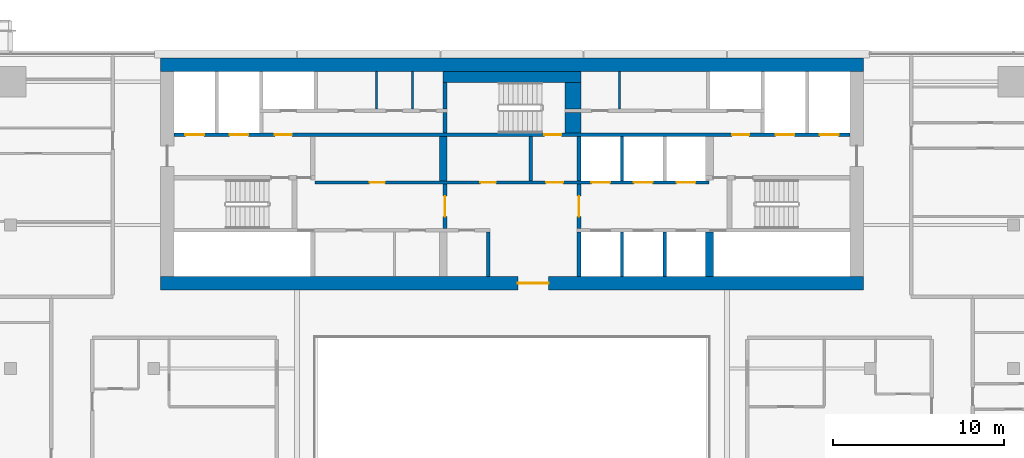
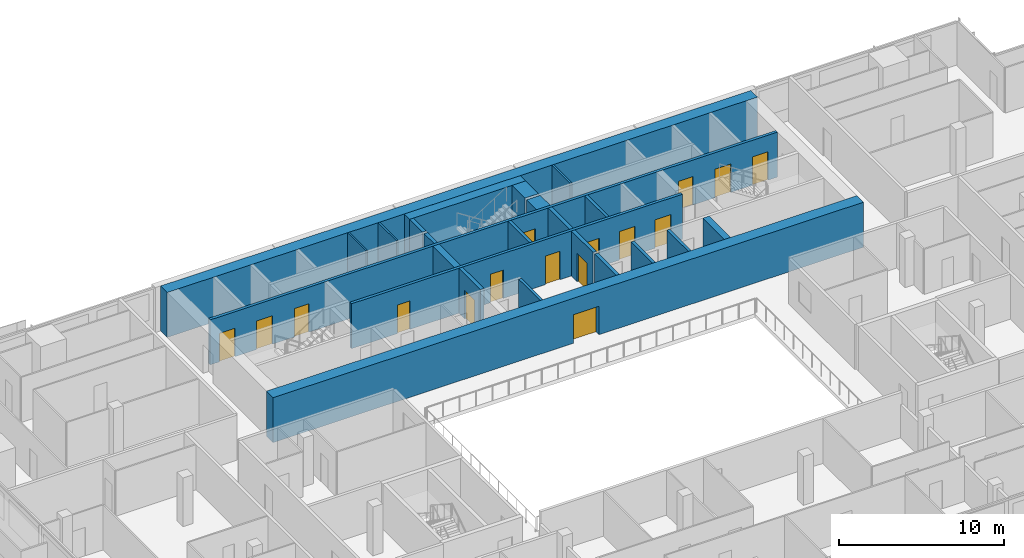
# One storey, part 21 of 30: 23 walls, 16 doors, 16 openings.
"""IFC4 building model written with IfcOpenShell, lengths in metres."""

from ifc_helpers import new_model, si_unit, direction, frame, frame_2d, origin, place, context, subcontext, project, spatial, rectangle, extrude, material, layer, layer_set, type_object, element, fill, save


model = new_model("IFC4")

# Units and contexts
model_context = context("Model", 3, precision=1e-05, world=origin(), true_north=direction((0.0, 1.0)))
body_context = subcontext(model_context, "Body", "Model", "MODEL_VIEW")
ifc_project = project(units=[si_unit("LENGTHUNIT", "METRE"), si_unit("AREAUNIT", "SQUARE_METRE"), si_unit("VOLUMEUNIT", "CUBIC_METRE"), si_unit("PLANEANGLEUNIT", "RADIAN"), si_unit("MASSUNIT", "GRAM", prefix="KILO")], contexts=[model_context])

# Site, building, storey
site_placement = place(None, origin())
site = spatial("IfcSite", under=ifc_project, at=site_placement, CompositionType="ELEMENT")
building_placement = place(site_placement, origin())
building = spatial("IfcBuilding", under=site, at=building_placement, Name="Saffron Gate Tower", CompositionType="ELEMENT")
storey_placement = place(building_placement, frame((0.0, 0.0, 158.25)))
storey = spatial("IfcBuildingStorey", under=building, at=storey_placement, Name="L38", CompositionType="ELEMENT", Elevation=158.25)

# Walls
ifc_material_1 = material(Name="Gypsum board partition on steel studs", Category="steel")
ifc_layer_1 = layer(ifc_material_1, 0.199951171875)
ifc_layer_set_1 = layer_set([ifc_layer_1], Name="CW10 Core partition 200")
wall_type_1 = type_object("IfcWallType", Name="CW10 Core partition 200", PredefinedType="PARTITIONING", material=ifc_layer_set_1)
for number, where, z_axis, x_axis, name in (
    (1, (86.199951171875, 62.39990234375, 0.0), (0.0, 0.0, 1.0), (0.0, 1.0, 0.0), "Wall CW10-L38-8"),
    (2, (88.699951171875, 68.0, 0.0), (0.0, 0.0, 1.0), (0.0, 1.0, 0.0), "Wall CW10-L38-21"),
):
    element("IfcWall", number, at=place(storey_placement, frame(where, z_axis=z_axis, x_axis=x_axis)), inside=storey, type_object=wall_type_1, Name=name, PredefinedType="PARTITIONING", context=body_context, shape_type="SweptSolid", body=[
        extrude(rectangle(XDim=2.60009765625, YDim=0.199951171875, at=frame_2d((1.300048828125, 0.0))), origin(), (0.0, 0.0, 1.0), 3.320068359375),
    ])

# Wall, opening, door
ifc_material_2 = material(Name="Concrete C60", Category="concrete")
ifc_layer_2 = layer(ifc_material_2, 0.800048828125)
ifc_layer_set_2 = layer_set([ifc_layer_2], Name="CW13 RC core wall 800 C60")
wall_type_2 = type_object("IfcWallType", Name="CW13 RC core wall 800 C60", PredefinedType="SOLIDWALL", material=ifc_layer_set_2)
wall_1_placement = place(storey_placement, frame((67.0, 62.0, 0.0), z_axis=(0.0, 0.0, 1.0), x_axis=(1.0, 0.0, 0.0)))
wall_1 = element("IfcWall", 3, at=wall_1_placement, inside=storey, type_object=wall_type_2, Name="Wall CW13-L38-1", PredefinedType="SOLIDWALL", context=body_context, shape_type="SweptSolid", body=[
    extrude(rectangle(XDim=41.199951171875, YDim=0.800048828125, at=frame_2d((20.60009765625, 0.0))), origin(), (0.0, 0.0, 1.0), 3.320068359375),
])
opening_1_placement = place(wall_1_placement, frame((20.949951171875, 0.0, 0.0)))
opening_1 = element("IfcOpeningElement", 4, at=opening_1_placement, cuts=wall_1, Name="Opening CR-09", PredefinedType="OPENING", context=body_context, shape_type="SweptSolid", body=[
    extrude(rectangle(XDim=1.800048828125, YDim=2.10009765625, at=frame_2d((0.89990234375, 1.050048828125))), frame((0.0, 0.41015625, 0.0), z_axis=(0.0, -1.0, 0.0), x_axis=(1.0, 0.0, 0.0)), (0.0, 0.0, 1.0), 0.820068359375),
])
ifc_material_3 = material(Name="Steel fire door set", Category="steel")
door_type_1 = type_object("IfcDoorType", Name="CD1 Core entrance door 1800x2100 EI 120", OperationType="NOTDEFINED", PredefinedType="DOOR", material=ifc_material_3)
door_1_placement = place(opening_1_placement, origin())
door_1 = element("IfcDoor", 5, at=door_1_placement, inside=storey, type_object=door_type_1, Name="DOOR CR-09", OperationType="DOUBLE_DOOR_SINGLE_SWING", OverallHeight=2.10009765625, OverallWidth=1.800048828125, PredefinedType="DOOR", context=body_context, shape_type="SweptSolid", body=[
    extrude(rectangle(XDim=1.800048828125, YDim=2.10009765625, at=frame_2d((0.89990234375, 1.050048828125))), frame((0.0, 0.02490234375, 0.0), z_axis=(0.0, -1.0, 0.0), x_axis=(1.0, 0.0, 0.0)), (0.0, 0.0, 1.0), 0.050048828125),
])
fill(opening_1, door_1)

# Walls
wall_2_placement = place(storey_placement, frame((67.0, 74.800048828125, 0.0), z_axis=(0.0, 0.0, 1.0), x_axis=(1.0, 0.0, 0.0)))
element("IfcWall", 6, at=wall_2_placement, inside=storey, type_object=wall_type_2, Name="Wall CW13-L38-2", PredefinedType="SOLIDWALL", context=body_context, shape_type="SweptSolid", body=[
    extrude(rectangle(XDim=41.199951171875, YDim=0.800048828125, at=frame_2d((20.60009765625, 0.0))), origin(), (0.0, 0.0, 1.0), 3.320068359375),
])
ifc_layer_3 = layer(ifc_material_2, 0.25)
ifc_layer_set_3 = layer_set([ifc_layer_3], Name="CW14 RC core wall 250 C60")
wall_type_3 = type_object("IfcWallType", Name="CW14 RC core wall 250 C60", PredefinedType="SOLIDWALL", material=ifc_layer_set_3)
wall_3_placement = place(storey_placement, frame((91.52490234375, 62.39990234375, 0.0), z_axis=(0.0, 0.0, 1.0), x_axis=(0.0, 1.0, 0.0)))
element("IfcWall", 7, at=wall_3_placement, inside=storey, type_object=wall_type_3, Name="Wall CW14-L38-9", PredefinedType="SOLIDWALL", context=body_context, shape_type="SweptSolid", body=[
    extrude(rectangle(XDim=2.60009765625, YDim=0.25, at=frame_2d((1.300048828125, 0.0))), origin(), (0.0, 0.0, 1.0), 3.320068359375),
])

# Wall, opening, door
wall_4_placement = place(storey_placement, frame((83.675048828125, 65.199951171875, 0.0), z_axis=(0.0, 0.0, 1.0), x_axis=(0.0, 1.0, 0.0)))
wall_4 = element("IfcWall", 8, at=wall_4_placement, inside=storey, type_object=wall_type_3, Name="Wall CW14-L38-16", PredefinedType="SOLIDWALL", context=body_context, shape_type="SweptSolid", body=[
    extrude(rectangle(XDim=2.60009765625, YDim=0.25, at=frame_2d((1.300048828125, 0.0))), origin(), (0.0, 0.0, 1.0), 3.320068359375),
])
opening_2_placement = place(wall_4_placement, frame((0.699951171875, 0.0, 0.0)))
opening_2 = element("IfcOpeningElement", 9, at=opening_2_placement, cuts=wall_4, Name="Opening CR-07", PredefinedType="OPENING", context=body_context, shape_type="SweptSolid", body=[
    extrude(rectangle(XDim=1.199951171875, YDim=2.10009765625, at=frame_2d((0.60009765625, 1.050048828125))), frame((0.0, 0.135009765625, 0.0), z_axis=(0.0, -1.0, 0.0), x_axis=(1.0, 0.0, 0.0)), (0.0, 0.0, 1.0), 0.27001953125),
])
door_type_2 = type_object("IfcDoorType", Name="CD3 Lobby door 1200x2100 EI 120", OperationType="NOTDEFINED", PredefinedType="DOOR", material=ifc_material_3)
door_2_placement = place(opening_2_placement, origin())
door_2 = element("IfcDoor", 10, at=door_2_placement, inside=storey, type_object=door_type_2, Name="DOOR CR-07", OperationType="SINGLE_SWING_RIGHT", OverallHeight=2.10009765625, OverallWidth=1.199951171875, PredefinedType="DOOR", context=body_context, shape_type="SweptSolid", body=[
    extrude(rectangle(XDim=1.199951171875, YDim=2.10009765625, at=frame_2d((0.60009765625, 1.050048828125))), frame((0.0, 0.02490234375, 0.0), z_axis=(0.0, -1.0, 0.0), x_axis=(1.0, 0.0, 0.0)), (0.0, 0.0, 1.0), 0.050048828125),
])
fill(opening_2, door_2)

wall_5_placement = place(storey_placement, frame((91.52490234375, 65.199951171875, 0.0), z_axis=(0.0, 0.0, 1.0), x_axis=(0.0, 1.0, 0.0)))
wall_5 = element("IfcWall", 11, at=wall_5_placement, inside=storey, type_object=wall_type_3, Name="Wall CW14-L38-17", PredefinedType="SOLIDWALL", context=body_context, shape_type="SweptSolid", body=[
    extrude(rectangle(XDim=2.60009765625, YDim=0.25, at=frame_2d((1.300048828125, 0.0))), origin(), (0.0, 0.0, 1.0), 3.320068359375),
])
opening_3_placement = place(wall_5_placement, frame((0.699951171875, 0.0, 0.0)))
opening_3 = element("IfcOpeningElement", 12, at=opening_3_placement, cuts=wall_5, Name="Opening CR-01", PredefinedType="OPENING", context=body_context, shape_type="SweptSolid", body=[
    extrude(rectangle(XDim=1.199951171875, YDim=2.10009765625, at=frame_2d((0.60009765625, 1.050048828125))), frame((0.0, 0.135009765625, 0.0), z_axis=(0.0, -1.0, 0.0), x_axis=(1.0, 0.0, 0.0)), (0.0, 0.0, 1.0), 0.27001953125),
])
door_3_placement = place(opening_3_placement, origin())
door_3 = element("IfcDoor", 13, at=door_3_placement, inside=storey, type_object=door_type_2, Name="DOOR CR-01", OperationType="SINGLE_SWING_RIGHT", OverallHeight=2.10009765625, OverallWidth=1.199951171875, PredefinedType="DOOR", context=body_context, shape_type="SweptSolid", body=[
    extrude(rectangle(XDim=1.199951171875, YDim=2.10009765625, at=frame_2d((0.60009765625, 1.050048828125))), frame((0.0, 0.02490234375, 0.0), z_axis=(0.0, -1.0, 0.0), x_axis=(1.0, 0.0, 0.0)), (0.0, 0.0, 1.0), 0.050048828125),
])
fill(opening_3, door_3)

# Walls
wall_6_placement = place(storey_placement, frame((91.52490234375, 68.0, 0.0), z_axis=(0.0, 0.0, 1.0), x_axis=(0.0, 1.0, 0.0)))
element("IfcWall", 14, at=wall_6_placement, inside=storey, type_object=wall_type_3, Name="Wall CW14-L38-22", PredefinedType="SOLIDWALL", context=body_context, shape_type="SweptSolid", body=[
    extrude(rectangle(XDim=2.60009765625, YDim=0.25, at=frame_2d((1.300048828125, 0.0))), origin(), (0.0, 0.0, 1.0), 3.320068359375),
])
wall_7_placement = place(storey_placement, frame((83.675048828125, 70.800048828125, 0.0), z_axis=(0.0, 0.0, 1.0), x_axis=(0.0, 1.0, 0.0)))
element("IfcWall", 15, at=wall_7_placement, inside=storey, type_object=wall_type_3, Name="Wall CW14-L38-33", PredefinedType="SOLIDWALL", context=body_context, shape_type="SweptSolid", body=[
    extrude(rectangle(XDim=1.199951171875, YDim=0.25, at=frame_2d((0.60009765625, 0.0))), origin(), (0.0, 0.0, 1.0), 3.320068359375),
])
wall_8_placement = place(storey_placement, frame((83.675048828125, 72.199951171875, 0.0), z_axis=(0.0, 0.0, 1.0), x_axis=(0.0, 1.0, 0.0)))
element("IfcWall", 16, at=wall_8_placement, inside=storey, type_object=wall_type_3, Name="Wall CW14-L38-43", PredefinedType="SOLIDWALL", context=body_context, shape_type="SweptSolid", body=[
    extrude(rectangle(XDim=1.550048828125, YDim=0.25, at=frame_2d((0.77490234375, 0.0))), origin(), (0.0, 0.0, 1.0), 3.320068359375),
])
ifc_layer_4 = layer(ifc_material_2, 0.199951171875)
ifc_layer_set_4 = layer_set([ifc_layer_4], Name="CW15 RC core wall 200 C60")
wall_type_4 = type_object("IfcWallType", Name="CW15 RC core wall 200 C60", PredefinedType="SOLIDWALL", material=ifc_layer_set_4)
for number, where, z_axis, x_axis, name in (
    (17, (94.050048828125, 62.39990234375, 0.0), (0.0, 0.0, 1.0), (0.0, 1.0, 0.0), "Wall CW15-L38-10"),
    (18, (96.550048828125, 62.39990234375, 0.0), (0.0, 0.0, 1.0), (0.0, 1.0, 0.0), "Wall CW15-L38-11"),
):
    element("IfcWall", number, at=place(storey_placement, frame(where, z_axis=z_axis, x_axis=x_axis)), inside=storey, type_object=wall_type_4, Name=name, PredefinedType="SOLIDWALL", context=body_context, shape_type="SweptSolid", body=[
        extrude(rectangle(XDim=2.60009765625, YDim=0.199951171875, at=frame_2d((1.300048828125, 0.0))), origin(), (0.0, 0.0, 1.0), 3.320068359375),
    ])

# Wall, openings, doors
wall_9_placement = place(storey_placement, frame((76.050048828125, 67.89990234375, 0.0), z_axis=(0.0, 0.0, 1.0), x_axis=(1.0, 0.0, 0.0)))
wall_9 = element("IfcWall", 19, at=wall_9_placement, inside=storey, type_object=wall_type_4, Name="Wall CW15-L38-19", PredefinedType="SOLIDWALL", context=body_context, shape_type="SweptSolid", body=[
    extrude(rectangle(XDim=23.099853515625, YDim=0.199951171875, at=frame_2d((11.5498046875, 0.0))), origin(), (0.0, 0.0, 1.0), 3.320068359375),
])
opening_4_placement = place(wall_9_placement, frame((3.199951171875, 0.0, 0.0)))
opening_4 = element("IfcOpeningElement", 20, at=opening_4_placement, cuts=wall_9, Name="Opening CR-61", PredefinedType="OPENING", context=body_context, shape_type="SweptSolid", body=[
    extrude(rectangle(XDim=0.89990234375, YDim=2.10009765625, at=frame_2d((0.449951171875, 1.050048828125))), frame((0.0, 0.10986328125, 0.0), z_axis=(0.0, -1.0, 0.0), x_axis=(1.0, 0.0, 0.0)), (0.0, 0.0, 1.0), 0.219970703125),
])
opening_5_placement = place(wall_9_placement, frame((9.699951171875, 0.0, 0.0)))
opening_5 = element("IfcOpeningElement", 21, at=opening_5_placement, cuts=wall_9, Name="Opening CR-67", PredefinedType="OPENING", context=body_context, shape_type="SweptSolid", body=[
    extrude(rectangle(XDim=0.89990234375, YDim=2.10009765625, at=frame_2d((0.449951171875, 1.050048828125))), frame((0.0, 0.10986328125, 0.0), z_axis=(0.0, -1.0, 0.0), x_axis=(1.0, 0.0, 0.0)), (0.0, 0.0, 1.0), 0.219970703125),
])
opening_6_placement = place(wall_9_placement, frame((13.550048828125, 0.0, 0.0)))
opening_6 = element("IfcOpeningElement", 22, at=opening_6_placement, cuts=wall_9, Name="Opening CR-02", PredefinedType="OPENING", context=body_context, shape_type="SweptSolid", body=[
    extrude(rectangle(XDim=1.0, YDim=2.10009765625, at=frame_2d((0.5, 1.050048828125))), frame((0.0, 0.10986328125, 0.0), z_axis=(0.0, -1.0, 0.0), x_axis=(1.0, 0.0, 0.0)), (0.0, 0.0, 1.0), 0.219970703125),
])
opening_7_placement = place(wall_9_placement, frame((16.199951171875, 0.0, 0.0)))
opening_7 = element("IfcOpeningElement", 23, at=opening_7_placement, cuts=wall_9, Name="Opening LD-HR4", PredefinedType="OPENING", context=body_context, shape_type="SweptSolid", body=[
    extrude(rectangle(XDim=1.10009765625, YDim=2.10009765625, at=frame_2d((0.550048828125, 1.050048828125))), frame((0.0, 0.10986328125, 0.0), z_axis=(0.0, -1.0, 0.0), x_axis=(1.0, 0.0, 0.0)), (0.0, 0.0, 1.0), 0.219970703125),
])
opening_8_placement = place(wall_9_placement, frame((18.699951171875, 0.0, 0.0)))
opening_8 = element("IfcOpeningElement", 24, at=opening_8_placement, cuts=wall_9, Name="Opening LD-HR5", PredefinedType="OPENING", context=body_context, shape_type="SweptSolid", body=[
    extrude(rectangle(XDim=1.10009765625, YDim=2.10009765625, at=frame_2d((0.550048828125, 1.050048828125))), frame((0.0, 0.10986328125, 0.0), z_axis=(0.0, -1.0, 0.0), x_axis=(1.0, 0.0, 0.0)), (0.0, 0.0, 1.0), 0.219970703125),
])
opening_9_placement = place(wall_9_placement, frame((21.199951171875, 0.0, 0.0)))
opening_9 = element("IfcOpeningElement", 25, at=opening_9_placement, cuts=wall_9, Name="Opening LD-HR6", PredefinedType="OPENING", context=body_context, shape_type="SweptSolid", body=[
    extrude(rectangle(XDim=1.10009765625, YDim=2.10009765625, at=frame_2d((0.550048828125, 1.050048828125))), frame((0.0, 0.10986328125, 0.0), z_axis=(0.0, -1.0, 0.0), x_axis=(1.0, 0.0, 0.0)), (0.0, 0.0, 1.0), 0.219970703125),
])
door_type_3 = type_object("IfcDoorType", Name="CD4 Lobby door 1000x2100 EI 120", OperationType="NOTDEFINED", PredefinedType="DOOR", material=ifc_material_3)
door_4_placement = place(opening_6_placement, origin())
door_4 = element("IfcDoor", 26, at=door_4_placement, inside=storey, type_object=door_type_3, Name="DOOR CR-02", OperationType="SINGLE_SWING_LEFT", OverallHeight=2.10009765625, OverallWidth=1.0, PredefinedType="DOOR", context=body_context, shape_type="SweptSolid", body=[
    extrude(rectangle(XDim=1.0, YDim=2.10009765625, at=frame_2d((0.5, 1.050048828125))), frame((0.0, 0.02490234375, 0.0), z_axis=(0.0, -1.0, 0.0), x_axis=(1.0, 0.0, 0.0)), (0.0, 0.0, 1.0), 0.050048828125),
])
fill(opening_6, door_4)
door_type_4 = type_object("IfcDoorType", Name="CD9 Room door 900x2100 EI 60", OperationType="NOTDEFINED", PredefinedType="DOOR", material=ifc_material_3)
door_5_placement = place(opening_4_placement, origin())
door_5 = element("IfcDoor", 27, at=door_5_placement, inside=storey, type_object=door_type_4, Name="DOOR CR-61", OperationType="SINGLE_SWING_LEFT", OverallHeight=2.10009765625, OverallWidth=0.89990234375, PredefinedType="DOOR", context=body_context, shape_type="SweptSolid", body=[
    extrude(rectangle(XDim=0.89990234375, YDim=2.10009765625, at=frame_2d((0.449951171875, 1.050048828125))), frame((0.0, 0.02490234375, 0.0), z_axis=(0.0, -1.0, 0.0), x_axis=(1.0, 0.0, 0.0)), (0.0, 0.0, 1.0), 0.050048828125),
])
fill(opening_4, door_5)
door_6_placement = place(opening_5_placement, origin())
door_6 = element("IfcDoor", 28, at=door_6_placement, inside=storey, type_object=door_type_4, Name="DOOR CR-67", OperationType="SINGLE_SWING_LEFT", OverallHeight=2.10009765625, OverallWidth=0.89990234375, PredefinedType="DOOR", context=body_context, shape_type="SweptSolid", body=[
    extrude(rectangle(XDim=0.89990234375, YDim=2.10009765625, at=frame_2d((0.449951171875, 1.050048828125))), frame((0.0, 0.02490234375, 0.0), z_axis=(0.0, -1.0, 0.0), x_axis=(1.0, 0.0, 0.0)), (0.0, 0.0, 1.0), 0.050048828125),
])
fill(opening_5, door_6)
ifc_material_4 = material(Name="Stainless steel landing door", Category="steel")
door_type_5 = type_object("IfcDoorType", Name="LD Lift landing door 1100x2100 EI 120", OperationType="SLIDING_TO_LEFT", PredefinedType="DOOR", material=ifc_material_4)
door_7_placement = place(opening_7_placement, origin())
door_7 = element("IfcDoor", 29, at=door_7_placement, inside=storey, type_object=door_type_5, Name="LANDING DOOR LD-HR4", OperationType="SLIDING_TO_RIGHT", OverallHeight=2.10009765625, OverallWidth=1.10009765625, PredefinedType="DOOR", context=body_context, shape_type="SweptSolid", body=[
    extrude(rectangle(XDim=1.10009765625, YDim=2.10009765625, at=frame_2d((0.550048828125, 1.050048828125))), frame((0.0, 0.02490234375, 0.0), z_axis=(0.0, -1.0, 0.0), x_axis=(1.0, 0.0, 0.0)), (0.0, 0.0, 1.0), 0.050048828125),
])
fill(opening_7, door_7)
door_8_placement = place(opening_8_placement, origin())
door_8 = element("IfcDoor", 30, at=door_8_placement, inside=storey, type_object=door_type_5, Name="LANDING DOOR LD-HR5", OperationType="SLIDING_TO_RIGHT", OverallHeight=2.10009765625, OverallWidth=1.10009765625, PredefinedType="DOOR", context=body_context, shape_type="SweptSolid", body=[
    extrude(rectangle(XDim=1.10009765625, YDim=2.10009765625, at=frame_2d((0.550048828125, 1.050048828125))), frame((0.0, 0.02490234375, 0.0), z_axis=(0.0, -1.0, 0.0), x_axis=(1.0, 0.0, 0.0)), (0.0, 0.0, 1.0), 0.050048828125),
])
fill(opening_8, door_8)
door_9_placement = place(opening_9_placement, origin())
door_9 = element("IfcDoor", 31, at=door_9_placement, inside=storey, type_object=door_type_5, Name="LANDING DOOR LD-HR6", OperationType="SLIDING_TO_RIGHT", OverallHeight=2.10009765625, OverallWidth=1.10009765625, PredefinedType="DOOR", context=body_context, shape_type="SweptSolid", body=[
    extrude(rectangle(XDim=1.10009765625, YDim=2.10009765625, at=frame_2d((0.550048828125, 1.050048828125))), frame((0.0, 0.02490234375, 0.0), z_axis=(0.0, -1.0, 0.0), x_axis=(1.0, 0.0, 0.0)), (0.0, 0.0, 1.0), 0.050048828125),
])
fill(opening_9, door_9)

# Wall
wall_10_placement = place(storey_placement, frame((94.050048828125, 68.0, 0.0), z_axis=(0.0, 0.0, 1.0), x_axis=(0.0, 1.0, 0.0)))
element("IfcWall", 32, at=wall_10_placement, inside=storey, type_object=wall_type_4, Name="Wall CW15-L38-23", PredefinedType="SOLIDWALL", context=body_context, shape_type="SweptSolid", body=[
    extrude(rectangle(XDim=2.60009765625, YDim=0.199951171875, at=frame_2d((1.300048828125, 0.0))), origin(), (0.0, 0.0, 1.0), 3.320068359375),
])

# Wall, openings, doors
wall_11_placement = place(storey_placement, frame((67.800048828125, 70.699951171875, 0.0), z_axis=(0.0, 0.0, 1.0), x_axis=(1.0, 0.0, 0.0)))
wall_11 = element("IfcWall", 33, at=wall_11_placement, inside=storey, type_object=wall_type_4, Name="Wall CW15-L38-30", PredefinedType="SOLIDWALL", context=body_context, shape_type="SweptSolid", body=[
    extrude(rectangle(XDim=39.599853515625, YDim=0.199951171875, at=frame_2d((19.7998046875, 0.0))), origin(), (0.0, 0.0, 1.0), 3.320068359375),
])
opening_10_placement = place(wall_11_placement, frame((0.64990234375, 0.0, 0.0)))
opening_10 = element("IfcOpeningElement", 34, at=opening_10_placement, cuts=wall_11, Name="Opening LD-FF1", PredefinedType="OPENING", context=body_context, shape_type="SweptSolid", body=[
    extrude(rectangle(XDim=1.10009765625, YDim=2.10009765625, at=frame_2d((0.550048828125, 1.050048828125))), frame((0.0, 0.10986328125, 0.0), z_axis=(0.0, -1.0, 0.0), x_axis=(1.0, 0.0, 0.0)), (0.0, 0.0, 1.0), 0.219970703125),
])
opening_11_placement = place(wall_11_placement, frame((3.25, 0.0, 0.0)))
opening_11 = element("IfcOpeningElement", 35, at=opening_11_placement, cuts=wall_11, Name="Opening LD-SV1", PredefinedType="OPENING", context=body_context, shape_type="SweptSolid", body=[
    extrude(rectangle(XDim=1.10009765625, YDim=2.10009765625, at=frame_2d((0.550048828125, 1.050048828125))), frame((0.0, 0.10986328125, 0.0), z_axis=(0.0, -1.0, 0.0), x_axis=(1.0, 0.0, 0.0)), (0.0, 0.0, 1.0), 0.219970703125),
])
opening_12_placement = place(wall_11_placement, frame((5.89990234375, 0.0, 0.0)))
opening_12 = element("IfcOpeningElement", 36, at=opening_12_placement, cuts=wall_11, Name="Opening CR-03", PredefinedType="OPENING", context=body_context, shape_type="SweptSolid", body=[
    extrude(rectangle(XDim=1.0, YDim=2.10009765625, at=frame_2d((0.5, 1.050048828125))), frame((0.0, 0.10986328125, 0.0), z_axis=(0.0, -1.0, 0.0), x_axis=(1.0, 0.0, 0.0)), (0.0, 0.0, 1.0), 0.219970703125),
])
opening_13_placement = place(wall_11_placement, frame((21.699951171875, 0.0, 0.0)))
opening_13 = element("IfcOpeningElement", 37, at=opening_13_placement, cuts=wall_11, Name="Opening CR-17", PredefinedType="OPENING", context=body_context, shape_type="SweptSolid", body=[
    extrude(rectangle(XDim=1.0, YDim=2.10009765625, at=frame_2d((0.5, 1.050048828125))), frame((0.0, 0.10986328125, 0.0), z_axis=(0.0, -1.0, 0.0), x_axis=(1.0, 0.0, 0.0)), (0.0, 0.0, 1.0), 0.219970703125),
])
opening_14_placement = place(wall_11_placement, frame((32.699951171875, 0.0, 0.0)))
opening_14 = element("IfcOpeningElement", 38, at=opening_14_placement, cuts=wall_11, Name="Opening CR-04", PredefinedType="OPENING", context=body_context, shape_type="SweptSolid", body=[
    extrude(rectangle(XDim=1.0, YDim=2.10009765625, at=frame_2d((0.5, 1.050048828125))), frame((0.0, 0.10986328125, 0.0), z_axis=(0.0, -1.0, 0.0), x_axis=(1.0, 0.0, 0.0)), (0.0, 0.0, 1.0), 0.219970703125),
])
opening_15_placement = place(wall_11_placement, frame((35.25, 0.0, 0.0)))
opening_15 = element("IfcOpeningElement", 39, at=opening_15_placement, cuts=wall_11, Name="Opening LD-SV2", PredefinedType="OPENING", context=body_context, shape_type="SweptSolid", body=[
    extrude(rectangle(XDim=1.10009765625, YDim=2.10009765625, at=frame_2d((0.550048828125, 1.050048828125))), frame((0.0, 0.10986328125, 0.0), z_axis=(0.0, -1.0, 0.0), x_axis=(1.0, 0.0, 0.0)), (0.0, 0.0, 1.0), 0.219970703125),
])
opening_16_placement = place(wall_11_placement, frame((37.85009765625, 0.0, 0.0)))
opening_16 = element("IfcOpeningElement", 40, at=opening_16_placement, cuts=wall_11, Name="Opening LD-FF2", PredefinedType="OPENING", context=body_context, shape_type="SweptSolid", body=[
    extrude(rectangle(XDim=1.10009765625, YDim=2.10009765625, at=frame_2d((0.550048828125, 1.050048828125))), frame((0.0, 0.10986328125, 0.0), z_axis=(0.0, -1.0, 0.0), x_axis=(1.0, 0.0, 0.0)), (0.0, 0.0, 1.0), 0.219970703125),
])
door_10_placement = place(opening_12_placement, origin())
door_10 = element("IfcDoor", 41, at=door_10_placement, inside=storey, type_object=door_type_3, Name="DOOR CR-03", OperationType="SINGLE_SWING_LEFT", OverallHeight=2.10009765625, OverallWidth=1.0, PredefinedType="DOOR", context=body_context, shape_type="SweptSolid", body=[
    extrude(rectangle(XDim=1.0, YDim=2.10009765625, at=frame_2d((0.5, 1.050048828125))), frame((0.0, 0.02490234375, 0.0), z_axis=(0.0, -1.0, 0.0), x_axis=(1.0, 0.0, 0.0)), (0.0, 0.0, 1.0), 0.050048828125),
])
fill(opening_12, door_10)
door_11_placement = place(opening_14_placement, origin())
door_11 = element("IfcDoor", 42, at=door_11_placement, inside=storey, type_object=door_type_3, Name="DOOR CR-04", OperationType="SINGLE_SWING_RIGHT", OverallHeight=2.10009765625, OverallWidth=1.0, PredefinedType="DOOR", context=body_context, shape_type="SweptSolid", body=[
    extrude(rectangle(XDim=1.0, YDim=2.10009765625, at=frame_2d((0.5, 1.050048828125))), frame((0.0, 0.02490234375, 0.0), z_axis=(0.0, -1.0, 0.0), x_axis=(1.0, 0.0, 0.0)), (0.0, 0.0, 1.0), 0.050048828125),
])
fill(opening_14, door_11)
door_type_6 = type_object("IfcDoorType", Name="CD5 Stair door 1000x2100 EI 120", OperationType="NOTDEFINED", PredefinedType="DOOR", material=ifc_material_3)
door_12_placement = place(opening_13_placement, origin())
door_12 = element("IfcDoor", 43, at=door_12_placement, inside=storey, type_object=door_type_6, Name="DOOR CR-17", OperationType="SINGLE_SWING_RIGHT", OverallHeight=2.10009765625, OverallWidth=1.0, PredefinedType="DOOR", context=body_context, shape_type="SweptSolid", body=[
    extrude(rectangle(XDim=1.0, YDim=2.10009765625, at=frame_2d((0.5, 1.050048828125))), frame((0.0, 0.02490234375, 0.0), z_axis=(0.0, -1.0, 0.0), x_axis=(1.0, 0.0, 0.0)), (0.0, 0.0, 1.0), 0.050048828125),
])
fill(opening_13, door_12)
door_13_placement = place(opening_10_placement, origin())
door_13 = element("IfcDoor", 44, at=door_13_placement, inside=storey, type_object=door_type_5, Name="LANDING DOOR LD-FF1", OperationType="SLIDING_TO_RIGHT", OverallHeight=2.10009765625, OverallWidth=1.10009765625, PredefinedType="DOOR", context=body_context, shape_type="SweptSolid", body=[
    extrude(rectangle(XDim=1.10009765625, YDim=2.10009765625, at=frame_2d((0.550048828125, 1.050048828125))), frame((0.0, 0.02490234375, 0.0), z_axis=(0.0, -1.0, 0.0), x_axis=(1.0, 0.0, 0.0)), (0.0, 0.0, 1.0), 0.050048828125),
])
fill(opening_10, door_13)
door_14_placement = place(opening_11_placement, origin())
door_14 = element("IfcDoor", 45, at=door_14_placement, inside=storey, type_object=door_type_5, Name="LANDING DOOR LD-SV1", OperationType="SLIDING_TO_RIGHT", OverallHeight=2.10009765625, OverallWidth=1.10009765625, PredefinedType="DOOR", context=body_context, shape_type="SweptSolid", body=[
    extrude(rectangle(XDim=1.10009765625, YDim=2.10009765625, at=frame_2d((0.550048828125, 1.050048828125))), frame((0.0, 0.02490234375, 0.0), z_axis=(0.0, -1.0, 0.0), x_axis=(1.0, 0.0, 0.0)), (0.0, 0.0, 1.0), 0.050048828125),
])
fill(opening_11, door_14)
door_15_placement = place(opening_15_placement, origin())
door_15 = element("IfcDoor", 46, at=door_15_placement, inside=storey, type_object=door_type_5, Name="LANDING DOOR LD-SV2", OperationType="SLIDING_TO_RIGHT", OverallHeight=2.10009765625, OverallWidth=1.10009765625, PredefinedType="DOOR", context=body_context, shape_type="SweptSolid", body=[
    extrude(rectangle(XDim=1.10009765625, YDim=2.10009765625, at=frame_2d((0.550048828125, 1.050048828125))), frame((0.0, 0.02490234375, 0.0), z_axis=(0.0, -1.0, 0.0), x_axis=(1.0, 0.0, 0.0)), (0.0, 0.0, 1.0), 0.050048828125),
])
fill(opening_15, door_15)
door_16_placement = place(opening_16_placement, origin())
door_16 = element("IfcDoor", 47, at=door_16_placement, inside=storey, type_object=door_type_5, Name="LANDING DOOR LD-FF2", OperationType="SLIDING_TO_RIGHT", OverallHeight=2.10009765625, OverallWidth=1.10009765625, PredefinedType="DOOR", context=body_context, shape_type="SweptSolid", body=[
    extrude(rectangle(XDim=1.10009765625, YDim=2.10009765625, at=frame_2d((0.550048828125, 1.050048828125))), frame((0.0, 0.02490234375, 0.0), z_axis=(0.0, -1.0, 0.0), x_axis=(1.0, 0.0, 0.0)), (0.0, 0.0, 1.0), 0.050048828125),
])
fill(opening_16, door_16)

# Walls
ifc_layer_5 = layer(ifc_material_2, 0.449951171875)
ifc_layer_set_5 = layer_set([ifc_layer_5], Name="CW16 RC core wall 450 C60")
wall_type_5 = type_object("IfcWallType", Name="CW16 RC core wall 450 C60", PredefinedType="SOLIDWALL", material=ifc_layer_set_5)
for number, where, z_axis, x_axis, name in (
    (48, (99.175048828125, 62.39990234375, 0.0), (0.0, 0.0, 1.0), (0.0, 1.0, 0.0), "Wall CW16-L38-12"),
    (49, (83.574951171875, 68.0, 0.0), (0.0, 0.0, 1.0), (0.0, 1.0, 0.0), "Wall CW16-L38-20"),
):
    element("IfcWall", number, at=place(storey_placement, frame(where, z_axis=z_axis, x_axis=x_axis)), inside=storey, type_object=wall_type_5, Name=name, PredefinedType="SOLIDWALL", context=body_context, shape_type="SweptSolid", body=[
        extrude(rectangle(XDim=2.60009765625, YDim=0.449951171875, at=frame_2d((1.300048828125, 0.0))), origin(), (0.0, 0.0, 1.0), 3.320068359375),
    ])
ifc_layer_6 = layer(ifc_material_2, 0.949951171875)
ifc_layer_set_6 = layer_set([ifc_layer_6], Name="CW19 RC core wall 950 C60")
wall_type_6 = type_object("IfcWallType", Name="CW19 RC core wall 950 C60", PredefinedType="SOLIDWALL", material=ifc_layer_set_6)
wall_12_placement = place(storey_placement, frame((91.175048828125, 70.800048828125, 0.0), z_axis=(0.0, 0.0, 1.0), x_axis=(0.0, 1.0, 0.0)))
element("IfcWall", 50, at=wall_12_placement, inside=storey, type_object=wall_type_6, Name="Wall CW19-L38-34", PredefinedType="SOLIDWALL", context=body_context, shape_type="SweptSolid", body=[
    extrude(rectangle(XDim=1.199951171875, YDim=0.949951171875, at=frame_2d((0.60009765625, 0.0))), origin(), (0.0, 0.0, 1.0), 3.320068359375),
])
wall_13_placement = place(storey_placement, frame((91.175048828125, 72.199951171875, 0.0), z_axis=(0.0, 0.0, 1.0), x_axis=(0.0, 1.0, 0.0)))
element("IfcWall", 51, at=wall_13_placement, inside=storey, type_object=wall_type_6, Name="Wall CW19-L38-44", PredefinedType="SOLIDWALL", context=body_context, shape_type="SweptSolid", body=[
    extrude(rectangle(XDim=1.550048828125, YDim=0.949951171875, at=frame_2d((0.77490234375, 0.0))), origin(), (0.0, 0.0, 1.0), 3.320068359375),
])
ifc_layer_7 = layer(ifc_material_2, 0.64990234375)
ifc_layer_set_7 = layer_set([ifc_layer_7], Name="CW20 RC core wall 650 C60")
wall_type_7 = type_object("IfcWallType", Name="CW20 RC core wall 650 C60", PredefinedType="SOLIDWALL", material=ifc_layer_set_7)
wall_14_placement = place(storey_placement, frame((83.550048828125, 74.074951171875, 0.0), z_axis=(0.0, 0.0, 1.0), x_axis=(1.0, 0.0, 0.0)))
element("IfcWall", 52, at=wall_14_placement, inside=storey, type_object=wall_type_7, Name="Wall CW20-L38-48", PredefinedType="SOLIDWALL", context=body_context, shape_type="SweptSolid", body=[
    extrude(rectangle(XDim=8.099853515625, YDim=0.64990234375, at=frame_2d((4.0498046875, 0.0))), origin(), (0.0, 0.0, 1.0), 3.320068359375),
])
ifc_layer_8 = layer(ifc_material_1, 0.1201171875)
ifc_layer_set_8 = layer_set([ifc_layer_8], Name="CW8 Core partition 120")
wall_type_8 = type_object("IfcWallType", Name="CW8 Core partition 120", PredefinedType="PARTITIONING", material=ifc_layer_set_8)
for number, where, z_axis, x_axis, name in (
    (53, (79.659912109375, 72.199951171875, 0.0), (0.0, 0.0, 1.0), (0.0, 1.0, 0.0), "Wall CW8-L38-41"),
    (54, (81.780029296875, 72.199951171875, 0.0), (0.0, 0.0, 1.0), (0.0, 1.0, 0.0), "Wall CW8-L38-42"),
    (55, (93.909912109375, 72.199951171875, 0.0), (0.0, 0.0, 1.0), (0.0, 1.0, 0.0), "Wall CW8-L38-45"),
):
    element("IfcWall", number, at=place(storey_placement, frame(where, z_axis=z_axis, x_axis=x_axis)), inside=storey, type_object=wall_type_8, Name=name, PredefinedType="PARTITIONING", context=body_context, shape_type="SweptSolid", body=[
        extrude(rectangle(XDim=2.199951171875, YDim=0.1201171875, at=frame_2d((1.10009765625, 0.0))), origin(), (0.0, 0.0, 1.0), 3.320068359375),
    ])

save(model, "model.ifc")
